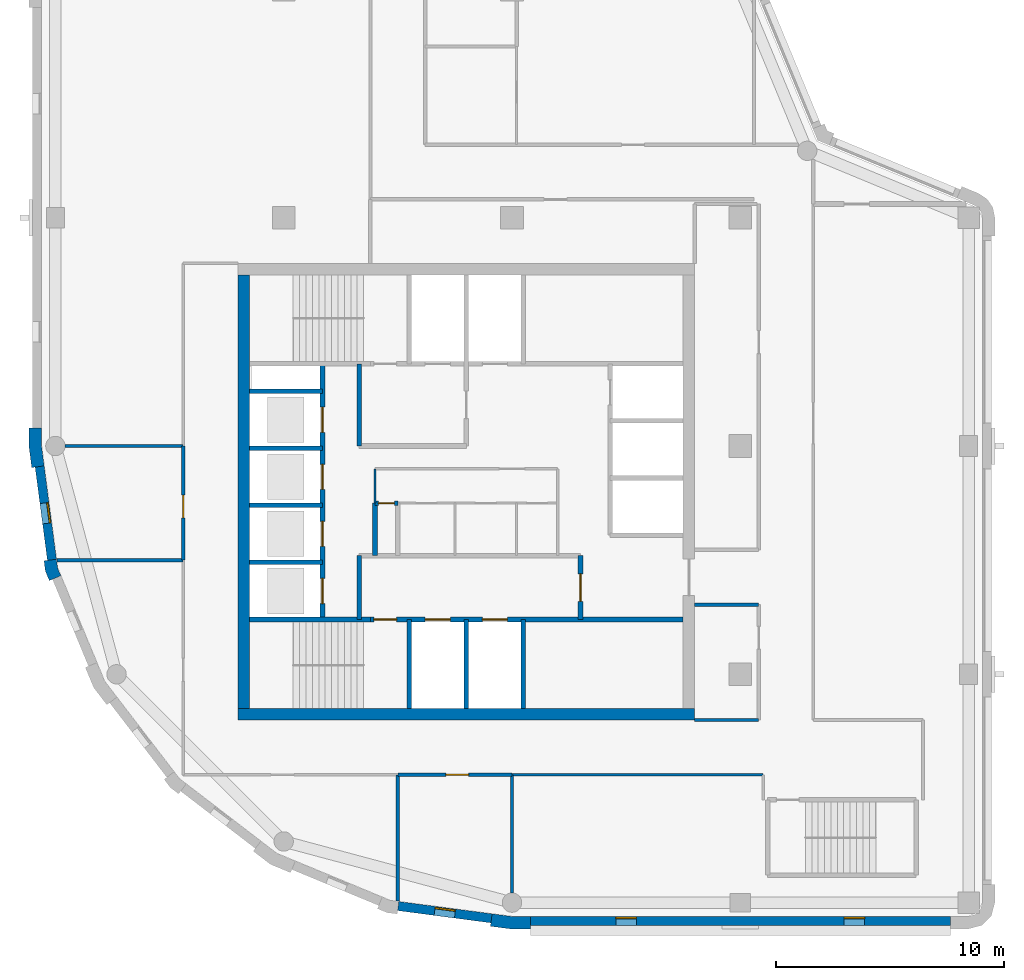
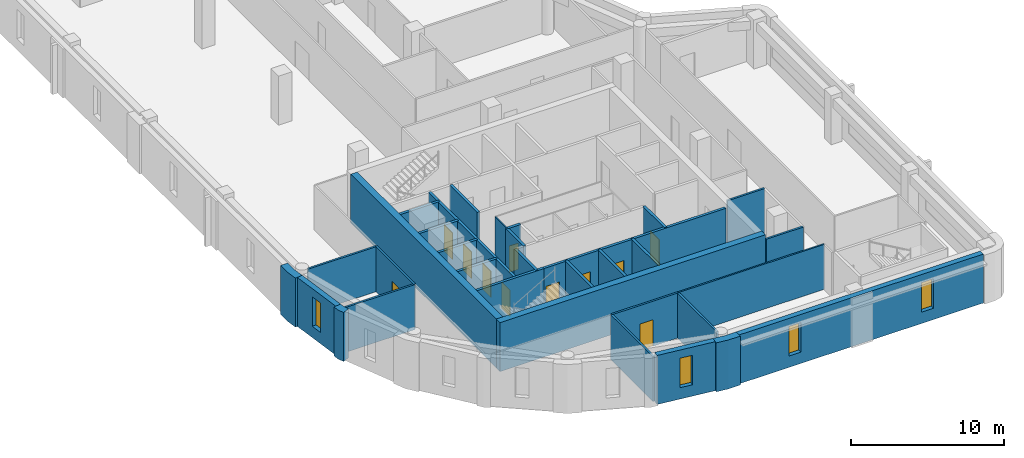
# One storey, part 2 of 8: 33 walls, 11 doors, 4 windows, 15 openings.
"""IFC4 building model written with IfcOpenShell, lengths in metres."""

from ifc_helpers import new_model, si_unit, direction, frame, frame_2d, origin, place, context, subcontext, project, spatial, polyline, rectangle, outline, extrude, material, layer, layer_set, type_object, element, fill, save


model = new_model("IFC4")

# Units and contexts
model_context = context("Model", 3, precision=1e-05, world=origin(), true_north=direction((0.0, 1.0)))
body_context = subcontext(model_context, "Body", "Model", "MODEL_VIEW")
ifc_project = project(units=[si_unit("LENGTHUNIT", "METRE"), si_unit("AREAUNIT", "SQUARE_METRE"), si_unit("VOLUMEUNIT", "CUBIC_METRE"), si_unit("PLANEANGLEUNIT", "RADIAN"), si_unit("MASSUNIT", "GRAM", prefix="KILO")], contexts=[model_context])

# Site, building, storey
site_placement = place(None, origin())
site = spatial("IfcSite", under=ifc_project, at=site_placement, CompositionType="ELEMENT")
building_placement = place(site_placement, origin())
building = spatial("IfcBuilding", under=site, at=building_placement, Name="Qaws Garden Tower", CompositionType="ELEMENT")
storey_placement = place(building_placement, frame((0.0, 0.0, 290.39990234375)))
storey = spatial("IfcBuildingStorey", under=building, at=storey_placement, Name="L70", CompositionType="ELEMENT", Elevation=290.39990234375)

# Wall, openings, windows
ifc_material_1 = material(Name="Clay facing brick masonry", Category="masonry")
ifc_layer_1 = layer(ifc_material_1, 0.39990234375)
ifc_layer_set_1 = layer_set([ifc_layer_1], Name="Clay facing brick masonry")
wall_type_1 = type_object("IfcWallType", Name="Brick infill wall 400", PredefinedType="SOLIDWALL", material=ifc_layer_set_1)
wall_1_placement = place(storey_placement, frame((20.800048828125, -0.800048828125, 0.0), z_axis=(0.0, 0.0, 1.0), x_axis=(1.0, 0.0, 0.0)))
wall_1 = element("IfcWall", 1, at=wall_1_placement, inside=storey, type_object=wall_type_1, Name="E-L70-infill-00", PredefinedType="SOLIDWALL", context=body_context, shape_type="SweptSolid", body=[
    extrude(rectangle(XDim=18.39990234375, YDim=0.39990234375, at=frame_2d((9.199951171875, 0.0))), origin(), (0.0, 0.0, 1.0), 3.900146484375),
])
opening_1_placement = place(wall_1_placement, frame((3.75, 0.0, 0.89990234375)))
opening_1 = element("IfcOpeningElement", 2, at=opening_1_placement, cuts=wall_1, Name="Opening W09", PredefinedType="OPENING", context=body_context, shape_type="SweptSolid", body=[
    extrude(rectangle(XDim=0.89990234375, YDim=2.35009765625, at=frame_2d((0.449951171875, 1.175048828125))), frame((0.0, 0.2099609375, 0.0), z_axis=(0.0, -1.0, 0.0), x_axis=(1.0, 0.0, 0.0)), (0.0, 0.0, 1.0), 0.419921875),
])
opening_2_placement = place(wall_1_placement, frame((13.75, 0.0, 0.89990234375)))
opening_2 = element("IfcOpeningElement", 3, at=opening_2_placement, cuts=wall_1, Name="Opening W09", PredefinedType="OPENING", context=body_context, shape_type="SweptSolid", body=[
    extrude(rectangle(XDim=0.89990234375, YDim=2.35009765625, at=frame_2d((0.449951171875, 1.175048828125))), frame((0.0, 0.2099609375, 0.0), z_axis=(0.0, -1.0, 0.0), x_axis=(1.0, 0.0, 0.0)), (0.0, 0.0, 1.0), 0.419921875),
])
ifc_material_2 = material(Name="Aluminium framed window, clear glazing", Category="aluminium")
window_type = type_object("IfcWindowType", Name="Slit window 900 x 2350", PartitioningType="SINGLE_PANEL", PredefinedType="WINDOW", material=ifc_material_2)
window_1_placement = place(opening_1_placement, origin())
window_1 = element("IfcWindow", 4, at=window_1_placement, inside=storey, type_object=window_type, Name="E-L70-window-00-0", OverallHeight=2.35009765625, OverallWidth=0.89990234375, PartitioningType="SINGLE_PANEL", PredefinedType="WINDOW", context=body_context, shape_type="SweptSolid", body=[
    extrude(rectangle(XDim=0.89990234375, YDim=2.35009765625, at=frame_2d((0.449951171875, 1.175048828125))), frame((0.0, 0.159912109375, 0.0), z_axis=(0.0, -1.0, 0.0), x_axis=(1.0, 0.0, 0.0)), (0.0, 0.0, 1.0), 0.06005859375),
])
fill(opening_1, window_1)
window_2_placement = place(opening_2_placement, origin())
window_2 = element("IfcWindow", 5, at=window_2_placement, inside=storey, type_object=window_type, Name="E-L70-window-01-0", OverallHeight=2.35009765625, OverallWidth=0.89990234375, PartitioningType="SINGLE_PANEL", PredefinedType="WINDOW", context=body_context, shape_type="SweptSolid", body=[
    extrude(rectangle(XDim=0.89990234375, YDim=2.35009765625, at=frame_2d((0.449951171875, 1.175048828125))), frame((0.0, 0.159912109375, 0.0), z_axis=(0.0, -1.0, 0.0), x_axis=(1.0, 0.0, 0.0)), (0.0, 0.0, 1.0), 0.06005859375),
])
fill(opening_2, window_2)

# Wall, opening, window
wall_2_placement = place(storey_placement, frame((-0.688720703125, 19.102294921875, 0.0), z_axis=(0.0, 0.0, 1.0), x_axis=(0.130514280502, -0.991446429508, 0.0)))
wall_2 = element("IfcWall", 6, at=wall_2_placement, inside=storey, type_object=wall_type_1, Name="E-L70-infill-21", PredefinedType="SOLIDWALL", context=body_context, shape_type="SweptSolid", body=[
    extrude(rectangle(XDim=4.120849609375, YDim=0.39990234375, at=frame_2d((2.060546875, 0.0))), origin(), (0.0, 0.0, 1.0), 3.900146484375),
])
opening_3_placement = place(wall_2_placement, frame((1.610595703125, 0.0, 0.89990234375)))
opening_3 = element("IfcOpeningElement", 7, at=opening_3_placement, cuts=wall_2, Name="Opening W09", PredefinedType="OPENING", context=body_context, shape_type="SweptSolid", body=[
    extrude(rectangle(XDim=0.89990234375, YDim=2.35009765625, at=frame_2d((0.449951171875, 1.175048828125))), frame((0.0, 0.2099609375, 0.0), z_axis=(0.0, -1.0, 0.0), x_axis=(1.0, 0.0, 0.0)), (0.0, 0.0, 1.0), 0.419921875),
])
window_3_placement = place(opening_3_placement, origin())
window_3 = element("IfcWindow", 8, at=window_3_placement, inside=storey, type_object=window_type, Name="E-L70-window-21-0", OverallHeight=2.35009765625, OverallWidth=0.89990234375, PartitioningType="SINGLE_PANEL", PredefinedType="WINDOW", context=body_context, shape_type="SweptSolid", body=[
    extrude(rectangle(XDim=0.89990234375, YDim=2.35009765625, at=frame_2d((0.449951171875, 1.175048828125))), frame((0.0, 0.159912109375, 0.0), z_axis=(0.0, -1.0, 0.0), x_axis=(1.0, 0.0, 0.0)), (0.0, 0.0, 1.0), 0.06005859375),
])
fill(opening_3, window_3)

wall_3_placement = place(storey_placement, frame((15.0166015625, -0.15087890625, 0.0), z_axis=(0.0, 0.0, 1.0), x_axis=(0.991446429508, -0.130514280502, 0.0)))
wall_3 = element("IfcWall", 9, at=wall_3_placement, inside=storey, type_object=wall_type_1, Name="E-L70-infill-26", PredefinedType="SOLIDWALL", context=body_context, shape_type="SweptSolid", body=[
    extrude(rectangle(XDim=4.120849609375, YDim=0.39990234375, at=frame_2d((2.060546875, 0.0))), origin(), (0.0, 0.0, 1.0), 3.900146484375),
])
opening_4_placement = place(wall_3_placement, frame((1.610595703125, 0.0, 0.89990234375)))
opening_4 = element("IfcOpeningElement", 10, at=opening_4_placement, cuts=wall_3, Name="Opening W09", PredefinedType="OPENING", context=body_context, shape_type="SweptSolid", body=[
    extrude(rectangle(XDim=0.89990234375, YDim=2.35009765625, at=frame_2d((0.449951171875, 1.175048828125))), frame((0.0, 0.2099609375, 0.0), z_axis=(0.0, -1.0, 0.0), x_axis=(1.0, 0.0, 0.0)), (0.0, 0.0, 1.0), 0.419921875),
])
window_4_placement = place(opening_4_placement, origin())
window_4 = element("IfcWindow", 11, at=window_4_placement, inside=storey, type_object=window_type, Name="E-L70-window-26-0", OverallHeight=2.35009765625, OverallWidth=0.89990234375, PartitioningType="SINGLE_PANEL", PredefinedType="WINDOW", context=body_context, shape_type="SweptSolid", body=[
    extrude(rectangle(XDim=0.89990234375, YDim=2.35009765625, at=frame_2d((0.449951171875, 1.175048828125))), frame((0.0, 0.159912109375, 0.0), z_axis=(0.0, -1.0, 0.0), x_axis=(1.0, 0.0, 0.0)), (0.0, 0.0, 1.0), 0.06005859375),
])
fill(opening_4, window_4)

# Walls
ifc_material_3 = material(Name="Clay facing brick masonry", Category="masonry")
ifc_layer_2 = layer(ifc_material_3, 0.550048828125)
ifc_layer_set_2 = layer_set([ifc_layer_2], Name="Clay facing brick masonry")
wall_type_2 = type_object("IfcWallType", Name="Brick kink pier 550 x 600", PredefinedType="SOLIDWALL", material=ifc_layer_set_2)
placement = place(storey_placement, origin())
element("IfcWall", 12, at=placement, inside=storey, type_object=wall_type_2, Name="E-L70-pier-22", PredefinedType="SOLIDWALL", context=body_context, shape_type="SweptSolid", body=[
    extrude(outline(polyline([(-0.34912109375, 14.990478515625), (-0.497802734375, 14.970947265625), (-0.43896484375, 14.5234375), (-0.26611328125, 14.1064453125), (-0.127685546875, 14.163818359375), (0.241943359375, 14.31689453125), (0.096923828125, 14.6669921875), (0.04736328125, 15.042724609375), (-0.34912109375, 14.990478515625)])), origin(), (0.0, 0.0, 1.0), 3.900146484375),
])
ifc_material_4 = material(Name="Clay facing brick masonry", Category="masonry")
ifc_layer_3 = layer(ifc_material_4, 0.550048828125)
ifc_layer_set_3 = layer_set([ifc_layer_3], Name="Clay facing brick masonry")
wall_type_3 = type_object("IfcWallType", Name="Brick pier 550 x 1600", PredefinedType="SOLIDWALL", material=ifc_layer_set_3)
element("IfcWall", 13, at=placement, inside=storey, type_object=wall_type_3, Name="E-L70-pier-00", PredefinedType="SOLIDWALL", context=body_context, shape_type="SweptSolid", body=[
    extrude(outline(polyline([(19.076416015625, -0.886962890625), (19.056640625, -1.03564453125), (19.924560546875, -1.14990234375), (20.800048828125, -1.14990234375), (20.800048828125, -1.0), (20.800048828125, -0.60009765625), (19.960693359375, -0.60009765625), (19.12841796875, -0.490478515625), (19.076416015625, -0.886962890625)])), origin(), (0.0, 0.0, 1.0), 3.900146484375),
])
element("IfcWall", 14, at=placement, inside=storey, type_object=wall_type_3, Name="E-L70-pier-21", PredefinedType="SOLIDWALL", context=body_context, shape_type="SweptSolid", body=[
    extrude(outline(polyline([(-1.0, 20.800048828125), (-1.14990234375, 20.800048828125), (-1.14990234375, 19.924560546875), (-1.03564453125, 19.056640625), (-0.886962890625, 19.076416015625), (-0.490478515625, 19.12841796875), (-0.60009765625, 19.960693359375), (-0.60009765625, 20.800048828125), (-1.0, 20.800048828125)])), origin(), (0.0, 0.0, 1.0), 3.900146484375),
])
ifc_material_5 = material(Name="Plasterboard")
ifc_layer_4 = layer(ifc_material_5, 0.10009765625)
ifc_layer_set_4 = layer_set([ifc_layer_4], Name="Plasterboard")
wall_type_4 = type_object("IfcWallType", Name="Core partition 100", PredefinedType="PARTITIONING", material=ifc_layer_set_4)
wall_7_placement = place(storey_placement, frame((14.0, 17.5, 0.0), z_axis=(0.0, 0.0, 1.0), x_axis=(0.0, 1.0, 0.0)))
element("IfcWall", 15, at=wall_7_placement, inside=storey, type_object=wall_type_4, Name="Core partition", PredefinedType="PARTITIONING", context=body_context, shape_type="SweptSolid", body=[
    extrude(rectangle(XDim=1.5, YDim=0.10009765625, at=frame_2d((0.75, 0.0))), origin(), (0.0, 0.0, 1.0), 3.580078125),
])
ifc_material_6 = material(Name="Concrete C60", Category="concrete")
ifc_layer_5 = layer(ifc_material_6, 0.199951171875)
ifc_layer_set_5 = layer_set([ifc_layer_5], Name="Concrete C60")
wall_type_5 = type_object("IfcWallType", Name="Core shaft wall 200 C60", PredefinedType="SHEAR", material=ifc_layer_set_5)
wall_8_placement = place(storey_placement, frame((8.5, 12.39990234375, 0.0), z_axis=(0.0, 0.0, 1.0), x_axis=(1.0, 0.0, 0.0)))
element("IfcWall", 16, at=wall_8_placement, inside=storey, type_object=wall_type_5, Name="Shaft wall", PredefinedType="SHEAR", context=body_context, shape_type="SweptSolid", body=[
    extrude(rectangle(XDim=5.300048828125, YDim=0.199951171875, at=frame_2d((2.64990234375, 0.0))), origin(), (0.0, 0.0, 1.0), 3.580078125),
])

# Wall, openings, doors
wall_9_placement = place(storey_placement, frame((13.800048828125, 12.39990234375, 0.0), z_axis=(0.0, 0.0, 1.0), x_axis=(1.0, 0.0, 0.0)))
wall_9 = element("IfcWall", 17, at=wall_9_placement, inside=storey, type_object=wall_type_5, Name="Shaft wall", PredefinedType="SHEAR", context=body_context, shape_type="SweptSolid", body=[
    extrude(rectangle(XDim=13.699951171875, YDim=0.199951171875, at=frame_2d((6.85009765625, 0.0))), origin(), (0.0, 0.0, 1.0), 3.580078125),
])
opening_5_placement = place(wall_9_placement, frame((2.39990234375, 0.0, 0.0)))
opening_5 = element("IfcOpeningElement", 18, at=opening_5_placement, cuts=wall_9, Name="Opening LD06", PredefinedType="OPENING", context=body_context, shape_type="SweptSolid", body=[
    extrude(rectangle(XDim=1.10009765625, YDim=2.10009765625, at=frame_2d((0.550048828125, 1.050048828125))), frame((0.0, 0.10986328125, 0.0), z_axis=(0.0, -1.0, 0.0), x_axis=(1.0, 0.0, 0.0)), (0.0, 0.0, 1.0), 0.219970703125),
])
opening_6_placement = place(wall_9_placement, frame((4.89990234375, 0.0, 0.0)))
opening_6 = element("IfcOpeningElement", 19, at=opening_6_placement, cuts=wall_9, Name="Opening LD07", PredefinedType="OPENING", context=body_context, shape_type="SweptSolid", body=[
    extrude(rectangle(XDim=1.10009765625, YDim=2.10009765625, at=frame_2d((0.550048828125, 1.050048828125))), frame((0.0, 0.10986328125, 0.0), z_axis=(0.0, -1.0, 0.0), x_axis=(1.0, 0.0, 0.0)), (0.0, 0.0, 1.0), 0.219970703125),
])
opening_7_placement = place(wall_9_placement, frame((0.14990234375, 0.0, 0.0)))
opening_7 = element("IfcOpeningElement", 20, at=opening_7_placement, cuts=wall_9, Name="Opening SD10", PredefinedType="OPENING", context=body_context, shape_type="SweptSolid", body=[
    extrude(rectangle(XDim=1.0, YDim=2.10009765625, at=frame_2d((0.5, 1.050048828125))), frame((0.0, 0.10986328125, 0.0), z_axis=(0.0, -1.0, 0.0), x_axis=(1.0, 0.0, 0.0)), (0.0, 0.0, 1.0), 0.219970703125),
])
ifc_material_7 = material(Name="Steel S235", Category="steel")
door_type_1 = type_object("IfcDoorType", Name="Landing door 1100x2100", OperationType="DOUBLE_DOOR_SLIDING", PredefinedType="DOOR", material=ifc_material_7)
door_1_placement = place(opening_5_placement, origin())
door_1 = element("IfcDoor", 21, at=door_1_placement, inside=storey, type_object=door_type_1, Name="Lift FF1 landing door", OperationType="DOUBLE_DOOR_SLIDING", OverallHeight=2.10009765625, OverallWidth=1.10009765625, PredefinedType="DOOR", context=body_context, shape_type="SweptSolid", body=[
    extrude(rectangle(XDim=1.10009765625, YDim=2.10009765625, at=frame_2d((0.550048828125, 1.050048828125))), frame((0.0, 0.02490234375, 0.0), z_axis=(0.0, -1.0, 0.0), x_axis=(1.0, 0.0, 0.0)), (0.0, 0.0, 1.0), 0.050048828125),
])
fill(opening_5, door_1)
door_2_placement = place(opening_6_placement, origin())
door_2 = element("IfcDoor", 22, at=door_2_placement, inside=storey, type_object=door_type_1, Name="Lift FF2 landing door", OperationType="DOUBLE_DOOR_SLIDING", OverallHeight=2.10009765625, OverallWidth=1.10009765625, PredefinedType="DOOR", context=body_context, shape_type="SweptSolid", body=[
    extrude(rectangle(XDim=1.10009765625, YDim=2.10009765625, at=frame_2d((0.550048828125, 1.050048828125))), frame((0.0, 0.02490234375, 0.0), z_axis=(0.0, -1.0, 0.0), x_axis=(1.0, 0.0, 0.0)), (0.0, 0.0, 1.0), 0.050048828125),
])
fill(opening_6, door_2)
ifc_material_8 = material(Name="Steel S235", Category="steel")
door_type_2 = type_object("IfcDoorType", Name="Stair door 1000x2100", OperationType="SINGLE_SWING_RIGHT", PredefinedType="DOOR", material=ifc_material_8)
door_3_placement = place(opening_7_placement, frame((1.0, 0.0, 0.0), z_axis=(0.0, 0.0, 1.0), x_axis=(-1.0, 0.0, 0.0)))
door_3 = element("IfcDoor", 23, at=door_3_placement, inside=storey, type_object=door_type_2, Name="Stair 1 door", OperationType="SINGLE_SWING_LEFT", OverallHeight=2.10009765625, OverallWidth=1.0, PredefinedType="DOOR", context=body_context, shape_type="SweptSolid", body=[
    extrude(rectangle(XDim=1.0, YDim=2.10009765625, at=frame_2d((0.5, 1.050048828125))), frame((0.0, 0.02490234375, 0.0), z_axis=(0.0, -1.0, 0.0), x_axis=(1.0, 0.0, 0.0)), (0.0, 0.0, 1.0), 0.050048828125),
])
fill(opening_7, door_3)

# Walls
for number, where, z_axis, x_axis, name in (
    (24, (8.5, 14.89990234375, 0.0), (0.0, 0.0, 1.0), (1.0, 0.0, 0.0), "Shaft wall"),
    (25, (8.5, 17.39990234375, 0.0), (0.0, 0.0, 1.0), (1.0, 0.0, 0.0), "Shaft wall"),
):
    element("IfcWall", number, at=place(storey_placement, frame(where, z_axis=z_axis, x_axis=x_axis)), inside=storey, type_object=wall_type_5, Name=name, PredefinedType="SHEAR", context=body_context, shape_type="SweptSolid", body=[
        extrude(rectangle(XDim=3.199951171875, YDim=0.199951171875, at=frame_2d((1.60009765625, 0.0))), origin(), (0.0, 0.0, 1.0), 3.580078125),
    ])

# Wall, opening, door
wall_10_placement = place(storey_placement, frame((14.0, 17.5, 0.0), z_axis=(0.0, 0.0, 1.0), x_axis=(1.0, 0.0, 0.0)))
wall_10 = element("IfcWall", 26, at=wall_10_placement, inside=storey, type_object=wall_type_5, Name="Shaft wall", PredefinedType="SHEAR", context=body_context, shape_type="SweptSolid", body=[
    extrude(rectangle(XDim=1.0, YDim=0.199951171875, at=frame_2d((0.5, 0.0))), origin(), (0.0, 0.0, 1.0), 3.580078125),
])
opening_8_placement = place(wall_10_placement, frame((0.14990234375, 0.0, 0.0)))
opening_8 = element("IfcOpeningElement", 27, at=opening_8_placement, cuts=wall_10, Name="Opening XD18", PredefinedType="OPENING", context=body_context, shape_type="SweptSolid", body=[
    extrude(rectangle(XDim=0.699951171875, YDim=2.10009765625, at=frame_2d((0.35009765625, 1.050048828125))), frame((0.0, 0.10986328125, 0.0), z_axis=(0.0, -1.0, 0.0), x_axis=(1.0, 0.0, 0.0)), (0.0, 0.0, 1.0), 0.219970703125),
])
ifc_material_9 = material(Name="Timber", Category="wood")
door_type_3 = type_object("IfcDoorType", Name="Store door 700x2100", OperationType="SINGLE_SWING_LEFT", PredefinedType="DOOR", material=ifc_material_9)
door_4_placement = place(opening_8_placement, frame((0.699951171875, 0.0, 0.0), z_axis=(0.0, 0.0, 1.0), x_axis=(-1.0, 0.0, 0.0)))
door_4 = element("IfcDoor", 28, at=door_4_placement, inside=storey, type_object=door_type_3, Name="Telecom riser door", OperationType="SINGLE_SWING_LEFT", OverallHeight=2.10009765625, OverallWidth=0.699951171875, PredefinedType="DOOR", context=body_context, shape_type="SweptSolid", body=[
    extrude(rectangle(XDim=0.699951171875, YDim=2.10009765625, at=frame_2d((0.35009765625, 1.050048828125))), frame((0.0, 0.02490234375, 0.0), z_axis=(0.0, -1.0, 0.0), x_axis=(1.0, 0.0, 0.0)), (0.0, 0.0, 1.0), 0.050048828125),
])
fill(opening_8, door_4)

# Walls
for number, where, z_axis, x_axis, name in (
    (29, (8.5, 19.89990234375, 0.0), (0.0, 0.0, 1.0), (1.0, 0.0, 0.0), "Shaft wall"),
    (30, (8.5, 22.39990234375, 0.0), (0.0, 0.0, 1.0), (1.0, 0.0, 0.0), "Shaft wall"),
):
    element("IfcWall", number, at=place(storey_placement, frame(where, z_axis=z_axis, x_axis=x_axis)), inside=storey, type_object=wall_type_5, Name=name, PredefinedType="SHEAR", context=body_context, shape_type="SweptSolid", body=[
        extrude(rectangle(XDim=3.199951171875, YDim=0.199951171875, at=frame_2d((1.60009765625, 0.0))), origin(), (0.0, 0.0, 1.0), 3.580078125),
    ])

# Wall, openings, doors
wall_11_placement = place(storey_placement, frame((11.699951171875, 12.39990234375, 0.0), z_axis=(0.0, 0.0, 1.0), x_axis=(0.0, 1.0, 0.0)))
wall_11 = element("IfcWall", 31, at=wall_11_placement, inside=storey, type_object=wall_type_5, Name="Shaft wall", PredefinedType="SHEAR", context=body_context, shape_type="SweptSolid", body=[
    extrude(rectangle(XDim=11.2001953125, YDim=0.199951171875, at=frame_2d((5.60009765625, 0.0))), origin(), (0.0, 0.0, 1.0), 3.580078125),
])
opening_9_placement = place(wall_11_placement, frame((0.699951171875, 0.0, 0.0)))
opening_9 = element("IfcOpeningElement", 32, at=opening_9_placement, cuts=wall_11, Name="Opening LD01", PredefinedType="OPENING", context=body_context, shape_type="SweptSolid", body=[
    extrude(rectangle(XDim=1.10009765625, YDim=2.10009765625, at=frame_2d((0.550048828125, 1.050048828125))), frame((0.0, 0.10986328125, 0.0), z_axis=(0.0, -1.0, 0.0), x_axis=(1.0, 0.0, 0.0)), (0.0, 0.0, 1.0), 0.219970703125),
])
opening_10_placement = place(wall_11_placement, frame((3.199951171875, 0.0, 0.0)))
opening_10 = element("IfcOpeningElement", 33, at=opening_10_placement, cuts=wall_11, Name="Opening LD02", PredefinedType="OPENING", context=body_context, shape_type="SweptSolid", body=[
    extrude(rectangle(XDim=1.10009765625, YDim=2.10009765625, at=frame_2d((0.550048828125, 1.050048828125))), frame((0.0, 0.10986328125, 0.0), z_axis=(0.0, -1.0, 0.0), x_axis=(1.0, 0.0, 0.0)), (0.0, 0.0, 1.0), 0.219970703125),
])
opening_11_placement = place(wall_11_placement, frame((5.699951171875, 0.0, 0.0)))
opening_11 = element("IfcOpeningElement", 34, at=opening_11_placement, cuts=wall_11, Name="Opening LD03", PredefinedType="OPENING", context=body_context, shape_type="SweptSolid", body=[
    extrude(rectangle(XDim=1.10009765625, YDim=2.10009765625, at=frame_2d((0.550048828125, 1.050048828125))), frame((0.0, 0.10986328125, 0.0), z_axis=(0.0, -1.0, 0.0), x_axis=(1.0, 0.0, 0.0)), (0.0, 0.0, 1.0), 0.219970703125),
])
opening_12_placement = place(wall_11_placement, frame((8.199951171875, 0.0, 0.0)))
opening_12 = element("IfcOpeningElement", 35, at=opening_12_placement, cuts=wall_11, Name="Opening LD04", PredefinedType="OPENING", context=body_context, shape_type="SweptSolid", body=[
    extrude(rectangle(XDim=1.10009765625, YDim=2.10009765625, at=frame_2d((0.550048828125, 1.050048828125))), frame((0.0, 0.10986328125, 0.0), z_axis=(0.0, -1.0, 0.0), x_axis=(1.0, 0.0, 0.0)), (0.0, 0.0, 1.0), 0.219970703125),
])
door_5_placement = place(opening_9_placement, origin())
door_5 = element("IfcDoor", 36, at=door_5_placement, inside=storey, type_object=door_type_1, Name="Lift W1 landing door", OperationType="DOUBLE_DOOR_SLIDING", OverallHeight=2.10009765625, OverallWidth=1.10009765625, PredefinedType="DOOR", context=body_context, shape_type="SweptSolid", body=[
    extrude(rectangle(XDim=1.10009765625, YDim=2.10009765625, at=frame_2d((0.550048828125, 1.050048828125))), frame((0.0, 0.02490234375, 0.0), z_axis=(0.0, -1.0, 0.0), x_axis=(1.0, 0.0, 0.0)), (0.0, 0.0, 1.0), 0.050048828125),
])
fill(opening_9, door_5)
door_6_placement = place(opening_10_placement, origin())
door_6 = element("IfcDoor", 37, at=door_6_placement, inside=storey, type_object=door_type_1, Name="Lift W2 landing door", OperationType="DOUBLE_DOOR_SLIDING", OverallHeight=2.10009765625, OverallWidth=1.10009765625, PredefinedType="DOOR", context=body_context, shape_type="SweptSolid", body=[
    extrude(rectangle(XDim=1.10009765625, YDim=2.10009765625, at=frame_2d((0.550048828125, 1.050048828125))), frame((0.0, 0.02490234375, 0.0), z_axis=(0.0, -1.0, 0.0), x_axis=(1.0, 0.0, 0.0)), (0.0, 0.0, 1.0), 0.050048828125),
])
fill(opening_10, door_6)
door_7_placement = place(opening_11_placement, origin())
door_7 = element("IfcDoor", 38, at=door_7_placement, inside=storey, type_object=door_type_1, Name="Lift W3 landing door", OperationType="DOUBLE_DOOR_SLIDING", OverallHeight=2.10009765625, OverallWidth=1.10009765625, PredefinedType="DOOR", context=body_context, shape_type="SweptSolid", body=[
    extrude(rectangle(XDim=1.10009765625, YDim=2.10009765625, at=frame_2d((0.550048828125, 1.050048828125))), frame((0.0, 0.02490234375, 0.0), z_axis=(0.0, -1.0, 0.0), x_axis=(1.0, 0.0, 0.0)), (0.0, 0.0, 1.0), 0.050048828125),
])
fill(opening_11, door_7)
door_8_placement = place(opening_12_placement, origin())
door_8 = element("IfcDoor", 39, at=door_8_placement, inside=storey, type_object=door_type_1, Name="Lift W4 landing door", OperationType="DOUBLE_DOOR_SLIDING", OverallHeight=2.10009765625, OverallWidth=1.10009765625, PredefinedType="DOOR", context=body_context, shape_type="SweptSolid", body=[
    extrude(rectangle(XDim=1.10009765625, YDim=2.10009765625, at=frame_2d((0.550048828125, 1.050048828125))), frame((0.0, 0.02490234375, 0.0), z_axis=(0.0, -1.0, 0.0), x_axis=(1.0, 0.0, 0.0)), (0.0, 0.0, 1.0), 0.050048828125),
])
fill(opening_12, door_8)

# Walls
wall_12_placement = place(storey_placement, frame((13.300048828125, 12.39990234375, 0.0), z_axis=(0.0, 0.0, 1.0), x_axis=(0.0, 1.0, 0.0)))
element("IfcWall", 40, at=wall_12_placement, inside=storey, type_object=wall_type_5, Name="Shaft wall", PredefinedType="SHEAR", context=body_context, shape_type="SweptSolid", body=[
    extrude(rectangle(XDim=2.800048828125, YDim=0.199951171875, at=frame_2d((1.39990234375, 0.0))), origin(), (0.0, 0.0, 1.0), 3.580078125),
])
wall_13_placement = place(storey_placement, frame((13.300048828125, 20.0, 0.0), z_axis=(0.0, 0.0, 1.0), x_axis=(0.0, 1.0, 0.0)))
element("IfcWall", 41, at=wall_13_placement, inside=storey, type_object=wall_type_5, Name="Shaft wall", PredefinedType="SHEAR", context=body_context, shape_type="SweptSolid", body=[
    extrude(rectangle(XDim=3.60009765625, YDim=0.199951171875, at=frame_2d((1.800048828125, 0.0))), origin(), (0.0, 0.0, 1.0), 3.580078125),
])
wall_14_placement = place(storey_placement, frame((14.0, 15.199951171875, 0.0), z_axis=(0.0, 0.0, 1.0), x_axis=(0.0, 1.0, 0.0)))
element("IfcWall", 42, at=wall_14_placement, inside=storey, type_object=wall_type_5, Name="Shaft wall", PredefinedType="SHEAR", context=body_context, shape_type="SweptSolid", body=[
    extrude(rectangle(XDim=2.300048828125, YDim=0.199951171875, at=frame_2d((1.14990234375, 0.0))), origin(), (0.0, 0.0, 1.0), 3.580078125),
])
for number, where, z_axis, x_axis, name in (
    (43, (15.5, 8.5, 0.0), (0.0, 0.0, 1.0), (0.0, 1.0, 0.0), "Shaft wall"),
    (44, (18.0, 8.5, 0.0), (0.0, 0.0, 1.0), (0.0, 1.0, 0.0), "Shaft wall"),
    (45, (20.5, 8.5, 0.0), (0.0, 0.0, 1.0), (0.0, 1.0, 0.0), "Shaft wall"),
):
    element("IfcWall", number, at=place(storey_placement, frame(where, z_axis=z_axis, x_axis=x_axis)), inside=storey, type_object=wall_type_5, Name=name, PredefinedType="SHEAR", context=body_context, shape_type="SweptSolid", body=[
        extrude(rectangle(XDim=3.89990234375, YDim=0.199951171875, at=frame_2d((1.949951171875, 0.0))), origin(), (0.0, 0.0, 1.0), 3.580078125),
    ])

# Wall, opening, door
wall_15_placement = place(storey_placement, frame((23.0, 12.39990234375, 0.0), z_axis=(0.0, 0.0, 1.0), x_axis=(0.0, 1.0, 0.0)))
wall_15 = element("IfcWall", 46, at=wall_15_placement, inside=storey, type_object=wall_type_5, Name="Shaft wall", PredefinedType="SHEAR", context=body_context, shape_type="SweptSolid", body=[
    extrude(rectangle(XDim=2.800048828125, YDim=0.199951171875, at=frame_2d((1.39990234375, 0.0))), origin(), (0.0, 0.0, 1.0), 3.580078125),
])
opening_13_placement = place(wall_15_placement, frame((0.800048828125, 0.0, 0.0)))
opening_13 = element("IfcOpeningElement", 47, at=opening_13_placement, cuts=wall_15, Name="Opening FD15", PredefinedType="OPENING", context=body_context, shape_type="SweptSolid", body=[
    extrude(rectangle(XDim=1.199951171875, YDim=2.10009765625, at=frame_2d((0.60009765625, 1.050048828125))), frame((0.0, 0.10986328125, 0.0), z_axis=(0.0, -1.0, 0.0), x_axis=(1.0, 0.0, 0.0)), (0.0, 0.0, 1.0), 0.219970703125),
])
ifc_material_10 = material(Name="Steel S235", Category="steel")
door_type_4 = type_object("IfcDoorType", Name="Lobby door 1200x2100", OperationType="DOUBLE_DOOR_SINGLE_SWING", PredefinedType="DOOR", material=ifc_material_10)
door_9_placement = place(opening_13_placement, origin())
door_9 = element("IfcDoor", 48, at=door_9_placement, inside=storey, type_object=door_type_4, Name="Fire-fighting lobby door", OperationType="DOUBLE_DOOR_SINGLE_SWING", OverallHeight=2.10009765625, OverallWidth=1.199951171875, PredefinedType="DOOR", context=body_context, shape_type="SweptSolid", body=[
    extrude(rectangle(XDim=1.199951171875, YDim=2.10009765625, at=frame_2d((0.60009765625, 1.050048828125))), frame((0.0, 0.02490234375, 0.0), z_axis=(0.0, -1.0, 0.0), x_axis=(1.0, 0.0, 0.0)), (0.0, 0.0, 1.0), 0.050048828125),
])
fill(opening_13, door_9)

# Walls
ifc_material_11 = material(Name="Concrete C60", Category="concrete")
ifc_layer_6 = layer(ifc_material_11, 0.5)
ifc_layer_set_6 = layer_set([ifc_layer_6], Name="Concrete C60")
wall_type_6 = type_object("IfcWallType", Name="Core wall 500 C60", PredefinedType="SHEAR", material=ifc_layer_set_6)
wall_16_placement = place(storey_placement, frame((8.0, 8.25, 0.0), z_axis=(0.0, 0.0, 1.0), x_axis=(1.0, 0.0, 0.0)))
element("IfcWall", 49, at=wall_16_placement, inside=storey, type_object=wall_type_6, Name="Core wall L70 south", PredefinedType="SHEAR", context=body_context, shape_type="SweptSolid", body=[
    extrude(rectangle(XDim=20.0, YDim=0.5, at=frame_2d((10.0, 0.0))), origin(), (0.0, 0.0, 1.0), 3.900146484375),
])
wall_17_placement = place(storey_placement, frame((8.25, 27.5, 0.0), z_axis=(0.0, 0.0, 1.0), x_axis=(0.0, -1.0, 0.0)))
element("IfcWall", 50, at=wall_17_placement, inside=storey, type_object=wall_type_6, Name="Core wall L70 west", PredefinedType="SHEAR", context=body_context, shape_type="SweptSolid", body=[
    extrude(rectangle(XDim=19.0, YDim=0.5, at=frame_2d((9.5, 0.0))), origin(), (0.0, 0.0, 1.0), 3.900146484375),
])
ifc_material_12 = material(Name="Glass and aluminium framing", Category="aluminium")
ifc_layer_7 = layer(ifc_material_12, 0.1201171875)
ifc_layer_set_7 = layer_set([ifc_layer_7], Name="Glass and aluminium framing")
wall_type_7 = type_object("IfcWallType", Name="GLAZED PARTITION 120 EI 30", PredefinedType="PARTITIONING", material=ifc_layer_set_7)
wall_18_placement = place(storey_placement, frame((20.0, 5.60009765625, 0.0), z_axis=(0.0, 0.0, 1.0), x_axis=(1.0, 0.0, 0.0)))
element("IfcWall", 51, at=wall_18_placement, inside=storey, type_object=wall_type_7, Name="O-L70-wall-047", PredefinedType="PARTITIONING", context=body_context, shape_type="SweptSolid", body=[
    extrude(rectangle(XDim=11.0, YDim=0.1201171875, at=frame_2d((5.5, 0.0))), origin(), (0.0, 0.0, 1.0), 3.580078125),
])

# Wall, opening, door
ifc_material_13 = material(Name="Gypsum board partition")
ifc_layer_8 = layer(ifc_material_13, 0.14990234375)
ifc_layer_set_8 = layer_set([ifc_layer_8], Name="Gypsum board partition")
wall_type_8 = type_object("IfcWallType", Name="PARTITION 150 EI 60", PredefinedType="PARTITIONING", material=ifc_layer_set_8)
wall_19_placement = place(storey_placement, frame((5.60009765625, 15.0, 0.0), z_axis=(0.0, 0.0, 1.0), x_axis=(0.0, 1.0, 0.0)))
wall_19 = element("IfcWall", 52, at=wall_19_placement, inside=storey, type_object=wall_type_8, Name="O-L70-wall-004", PredefinedType="PARTITIONING", context=body_context, shape_type="SweptSolid", body=[
    extrude(rectangle(XDim=5.0, YDim=0.14990234375, at=frame_2d((2.5, 0.0))), origin(), (0.0, 0.0, 1.0), 3.580078125),
])
opening_14_placement = place(wall_19_placement, frame((1.85009765625, 0.0, 0.0)))
opening_14 = element("IfcOpeningElement", 53, at=opening_14_placement, cuts=wall_19, Name="Opening C502", PredefinedType="OPENING", context=body_context, shape_type="SweptSolid", body=[
    extrude(rectangle(XDim=1.0, YDim=2.10009765625, at=frame_2d((0.5, 1.050048828125))), frame((0.0, 0.0849609375, 0.0), z_axis=(0.0, -1.0, 0.0), x_axis=(1.0, 0.0, 0.0)), (0.0, 0.0, 1.0), 0.169921875),
])
ifc_material_14 = material(Name="Timber door leaf", Category="wood")
door_type_5 = type_object("IfcDoorType", Name="TENANCY ENTRANCE DOOR 1000 X 2100", OperationType="SINGLE_SWING_LEFT", PredefinedType="DOOR", material=ifc_material_14)
door_10_placement = place(opening_14_placement, origin())
door_10 = element("IfcDoor", 54, at=door_10_placement, inside=storey, type_object=door_type_5, Name="O-L70-door-002", OperationType="SINGLE_SWING_RIGHT", OverallHeight=2.10009765625, OverallWidth=1.0, PredefinedType="DOOR", context=body_context, shape_type="SweptSolid", body=[
    extrude(rectangle(XDim=1.0, YDim=2.10009765625, at=frame_2d((0.5, 1.050048828125))), frame((0.0, 0.02490234375, 0.0), z_axis=(0.0, -1.0, 0.0), x_axis=(1.0, 0.0, 0.0)), (0.0, 0.0, 1.0), 0.050048828125),
])
fill(opening_14, door_10)

# Walls
wall_20_placement = place(storey_placement, frame((15.0, 0.06298828125, 0.0), z_axis=(0.0, 0.0, 1.0), x_axis=(0.0, 1.0, 0.0)))
element("IfcWall", 55, at=wall_20_placement, inside=storey, type_object=wall_type_8, Name="O-L70-wall-006", PredefinedType="PARTITIONING", context=body_context, shape_type="SweptSolid", body=[
    extrude(rectangle(XDim=5.537109375, YDim=0.14990234375, at=frame_2d((2.7685546875, 0.0))), origin(), (0.0, 0.0, 1.0), 3.580078125),
])
wall_21_placement = place(storey_placement, frame((20.0, 0.425048828125, 0.0), z_axis=(0.0, 0.0, 1.0), x_axis=(0.0, 1.0, 0.0)))
element("IfcWall", 56, at=wall_21_placement, inside=storey, type_object=wall_type_8, Name="O-L70-wall-009", PredefinedType="PARTITIONING", context=body_context, shape_type="SweptSolid", body=[
    extrude(rectangle(XDim=5.175048828125, YDim=0.14990234375, at=frame_2d((2.58740234375, 0.0))), origin(), (0.0, 0.0, 1.0), 3.580078125),
])

# Wall, opening, door
wall_22_placement = place(storey_placement, frame((15.0, 5.60009765625, 0.0), z_axis=(0.0, 0.0, 1.0), x_axis=(1.0, 0.0, 0.0)))
wall_22 = element("IfcWall", 57, at=wall_22_placement, inside=storey, type_object=wall_type_8, Name="O-L70-wall-017", PredefinedType="PARTITIONING", context=body_context, shape_type="SweptSolid", body=[
    extrude(rectangle(XDim=5.0, YDim=0.14990234375, at=frame_2d((2.5, 0.0))), origin(), (0.0, 0.0, 1.0), 3.580078125),
])
opening_15_placement = place(wall_22_placement, frame((2.10009765625, 0.0, 0.0)))
opening_15 = element("IfcOpeningElement", 58, at=opening_15_placement, cuts=wall_22, Name="Opening C510", PredefinedType="OPENING", context=body_context, shape_type="SweptSolid", body=[
    extrude(rectangle(XDim=1.0, YDim=2.10009765625, at=frame_2d((0.5, 1.050048828125))), frame((0.0, 0.0849609375, 0.0), z_axis=(0.0, -1.0, 0.0), x_axis=(1.0, 0.0, 0.0)), (0.0, 0.0, 1.0), 0.169921875),
])
door_11_placement = place(opening_15_placement, frame((1.0, 0.0, 0.0), z_axis=(0.0, 0.0, 1.0), x_axis=(-1.0, 0.0, 0.0)))
door_11 = element("IfcDoor", 59, at=door_11_placement, inside=storey, type_object=door_type_5, Name="O-L70-door-010", OperationType="SINGLE_SWING_LEFT", OverallHeight=2.10009765625, OverallWidth=1.0, PredefinedType="DOOR", context=body_context, shape_type="SweptSolid", body=[
    extrude(rectangle(XDim=1.0, YDim=2.10009765625, at=frame_2d((0.5, 1.050048828125))), frame((0.0, 0.02490234375, 0.0), z_axis=(0.0, -1.0, 0.0), x_axis=(1.0, 0.0, 0.0)), (0.0, 0.0, 1.0), 0.050048828125),
])
fill(opening_15, door_11)

# Walls
for number, where, z_axis, x_axis, name in (
    (60, (28.0, 8.0, 0.0), (0.0, 0.0, 1.0), (1.0, 0.0, 0.0), "O-L70-wall-018"),
    (61, (28.0, 13.050048828125, 0.0), (0.0, 0.0, 1.0), (1.0, 0.0, 0.0), "O-L70-wall-019"),
):
    element("IfcWall", number, at=place(storey_placement, frame(where, z_axis=z_axis, x_axis=x_axis)), inside=storey, type_object=wall_type_8, Name=name, PredefinedType="PARTITIONING", context=body_context, shape_type="SweptSolid", body=[
        extrude(rectangle(XDim=2.800048828125, YDim=0.14990234375, at=frame_2d((1.39990234375, 0.0))), origin(), (0.0, 0.0, 1.0), 3.580078125),
    ])
wall_23_placement = place(storey_placement, frame((0.06298828125, 15.0, 0.0), z_axis=(0.0, 0.0, 1.0), x_axis=(1.0, 0.0, 0.0)))
element("IfcWall", 62, at=wall_23_placement, inside=storey, type_object=wall_type_8, Name="O-L70-wall-020", PredefinedType="PARTITIONING", context=body_context, shape_type="SweptSolid", body=[
    extrude(rectangle(XDim=5.537109375, YDim=0.14990234375, at=frame_2d((2.7685546875, 0.0))), origin(), (0.0, 0.0, 1.0), 3.580078125),
])
wall_24_placement = place(storey_placement, frame((0.425048828125, 20.0, 0.0), z_axis=(0.0, 0.0, 1.0), x_axis=(1.0, 0.0, 0.0)))
element("IfcWall", 63, at=wall_24_placement, inside=storey, type_object=wall_type_8, Name="O-L70-wall-022", PredefinedType="PARTITIONING", context=body_context, shape_type="SweptSolid", body=[
    extrude(rectangle(XDim=5.175048828125, YDim=0.14990234375, at=frame_2d((2.58740234375, 0.0))), origin(), (0.0, 0.0, 1.0), 3.580078125),
])

save(model, "model.ifc")
